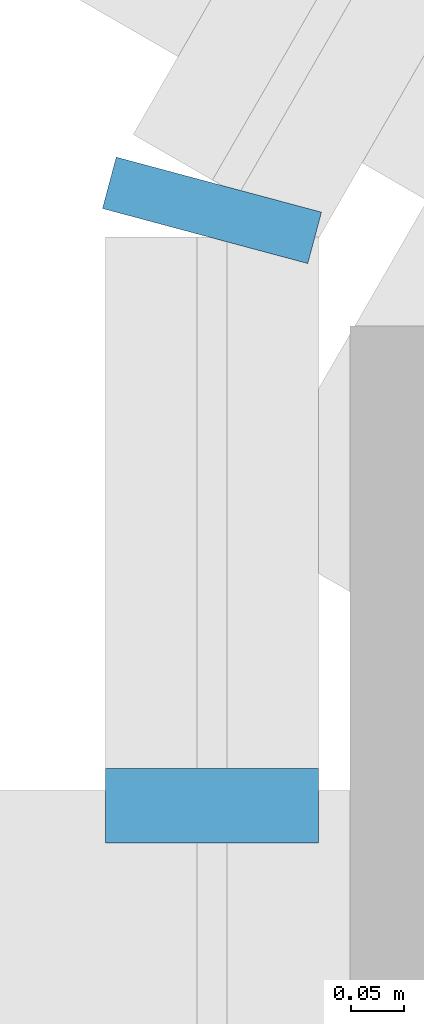
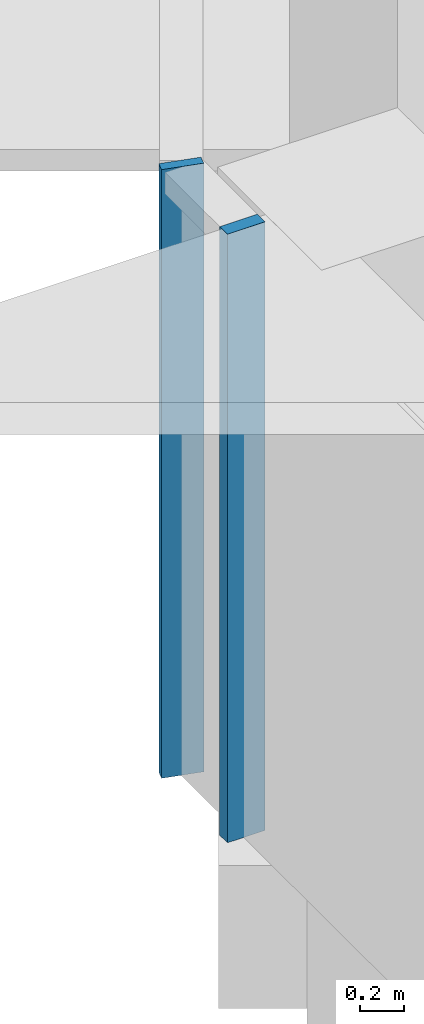
# One storey, part 4 of 18: 2 members, 2 elements without a shape of their own.
"""IFC4 building model written with IfcOpenShell, lengths in metres."""

from ifc_helpers import new_model, si_unit, direction, frame, origin, origin_2d, place, context, subcontext, project, spatial, rectangle, extrude, material, layer, layer_set, material_profile, profile_set, type_object, element, aggregate, save


model = new_model("IFC4")

# Units and contexts
model_context = context("Model", 3, precision=1e-05, world=origin(), true_north=direction((0.0, 1.0)))
body_context = subcontext(model_context, "Body", "Model", "MODEL_VIEW")
ifc_project = project(units=[si_unit("LENGTHUNIT", "METRE"), si_unit("AREAUNIT", "SQUARE_METRE"), si_unit("VOLUMEUNIT", "CUBIC_METRE"), si_unit("PLANEANGLEUNIT", "RADIAN"), si_unit("MASSUNIT", "GRAM", prefix="KILO")], contexts=[model_context])

# Site, building, storey
site_placement = place(None, origin())
site = spatial("IfcSite", under=ifc_project, at=site_placement, CompositionType="ELEMENT")
building_placement = place(site_placement, origin())
building = spatial("IfcBuilding", under=site, at=building_placement, Name="Ayvan Gate Tower", CompositionType="ELEMENT")
storey_placement = place(building_placement, frame((0.0, 0.0, 169.699951171875)))
storey = spatial("IfcBuildingStorey", under=building, at=storey_placement, Name="L45", CompositionType="ELEMENT", Elevation=169.699951171875)

# Curtain wall, member
ifc_material = material(Name="Bronze anodised aluminium", Category="aluminium")
ifc_layer_1 = layer(ifc_material, 0.199951171875)
ifc_layer_set_1 = layer_set([ifc_layer_1], Name="Bronze anodised aluminium")
curtain_wall_type_1 = type_object("IfcCurtainWallType", Name="Stick curtain wall CW-2", PredefinedType="NOTDEFINED", material=ifc_layer_set_1)
curtain_wall_1_placement = place(storey_placement, origin())
curtain_wall_1 = element("IfcCurtainWall", 1, at=curtain_wall_1_placement, inside=storey, type_object=curtain_wall_type_1, Name="Stick curtain wall CW-2 L45", PredefinedType="NOTDEFINED")
ifc_material_profile_1 = material_profile(ifc_material, rectangle(XDim=0.199951171875, YDim=0.070068359375, at=origin_2d()), Name="Stick curtain wall CW-2 mullion 200 x 70")
ifc_profile_set_1 = profile_set([ifc_material_profile_1], Name="Bronze anodised aluminium")
member_type_1 = type_object("IfcMemberType", Name="Stick curtain wall CW-2 mullion 200 x 70", PredefinedType="MULLION", material=ifc_profile_set_1)
member_1_placement = place(storey_placement, frame((-18.46484375, 8.97998046875, 0.0), z_axis=(0.0, 0.0, 1.0), x_axis=(-1.0, 0.0, 0.0)))
member_1 = element("IfcMember", 2, at=member_1_placement, type_object=member_type_1, Name="CW-2 mullion 1", PredefinedType="MULLION", context=body_context, shape_type="SweptSolid", body=[
    extrude(rectangle(XDim=0.199951171875, YDim=0.070068359375, at=origin_2d()), origin(), (0.0, 0.0, 1.0), 3.400146484375),
])
aggregate(curtain_wall_1, [member_1])

ifc_layer_2 = layer(ifc_material, 0.199951171875)
ifc_layer_set_2 = layer_set([ifc_layer_2], Name="Bronze anodised aluminium")
curtain_wall_type_2 = type_object("IfcCurtainWallType", Name="Stick curtain wall CW-6", PredefinedType="NOTDEFINED", material=ifc_layer_set_2)
curtain_wall_2_placement = place(storey_placement, origin())
curtain_wall_2 = element("IfcCurtainWall", 3, at=curtain_wall_2_placement, inside=storey, type_object=curtain_wall_type_2, Name="Stick curtain wall CW-6 L45", PredefinedType="NOTDEFINED")
ifc_material_profile_2 = material_profile(ifc_material, rectangle(XDim=0.199951171875, YDim=0.050048828125, at=origin_2d()), Name="Stick curtain wall CW-6 mullion 200 x 50")
ifc_profile_set_2 = profile_set([ifc_material_profile_2], Name="Bronze anodised aluminium")
member_type_2 = type_object("IfcMemberType", Name="Stick curtain wall CW-6 mullion 200 x 50", PredefinedType="MULLION", material=ifc_profile_set_2)
member_2_placement = place(storey_placement, frame((-18.46484375, 9.5400390625, 0.0), z_axis=(0.0, 0.0, 1.0), x_axis=(-0.965925826289, 0.258819045103, 0.0)))
member_2 = element("IfcMember", 4, at=member_2_placement, type_object=member_type_2, Name="CW-6 mullion 3", PredefinedType="MULLION", context=body_context, shape_type="SweptSolid", body=[
    extrude(rectangle(XDim=0.199951171875, YDim=0.050048828125, at=origin_2d()), origin(), (0.0, 0.0, 1.0), 3.400146484375),
])
aggregate(curtain_wall_2, [member_2])

save(model, "model.ifc")
